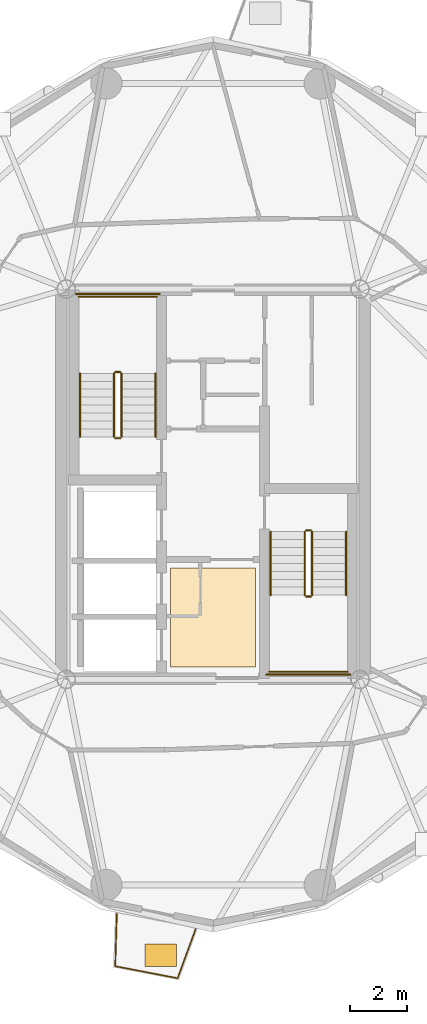
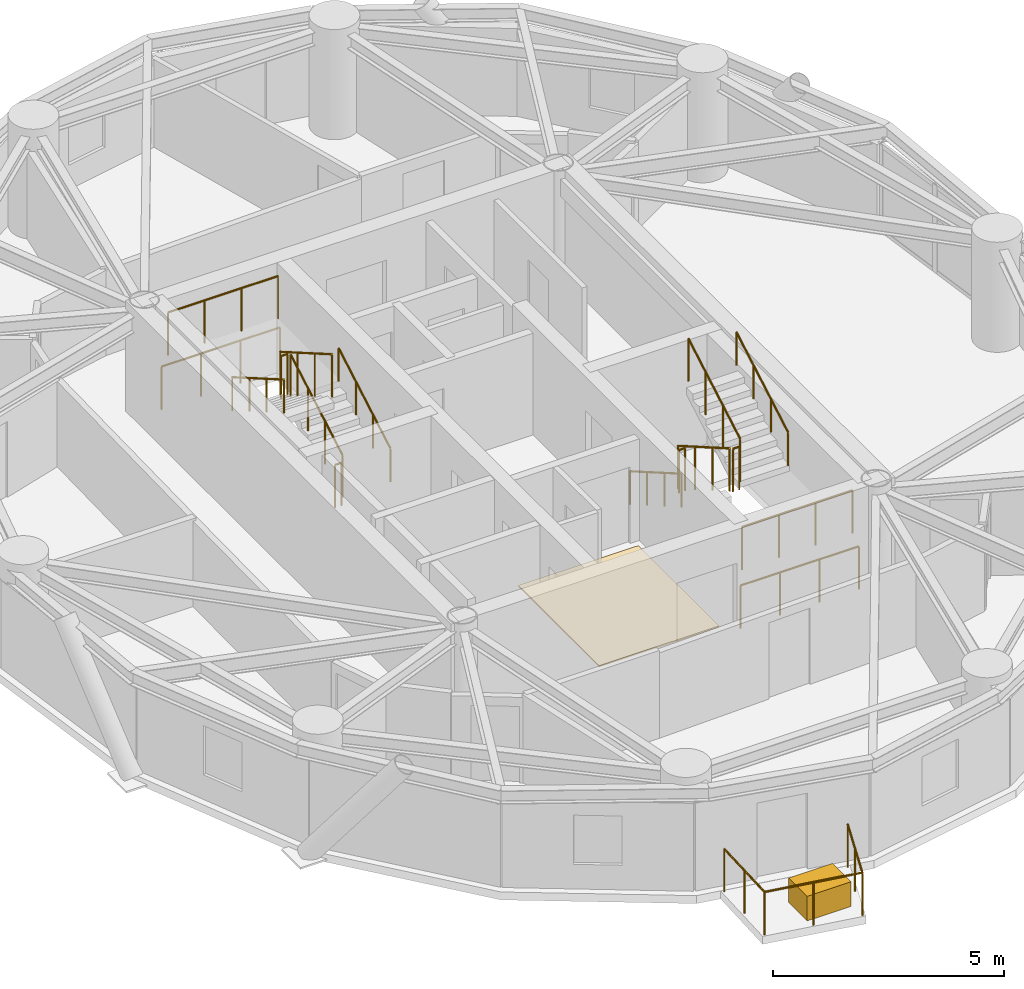
# One storey, part 14 of 16: 17 railings, 2 coverings.
"""IFC4 building model written with IfcOpenShell, lengths in metres."""

from ifc_helpers import new_model, si_unit, direction, frame, origin, origin_2d, place, context, subcontext, project, spatial, polyline, rectangle, circle, outline, extrude, source, transform, mapped, material, layer, layer_set, type_object, element, save


model = new_model("IFC4")

# Units and contexts
model_context = context("Model", 3, precision=1e-05, world=origin(), true_north=direction((0.0, 1.0)))
body_context = subcontext(model_context, "Body", "Model", "MODEL_VIEW")
ifc_project = project(units=[si_unit("LENGTHUNIT", "METRE"), si_unit("AREAUNIT", "SQUARE_METRE"), si_unit("VOLUMEUNIT", "CUBIC_METRE"), si_unit("PLANEANGLEUNIT", "RADIAN"), si_unit("MASSUNIT", "GRAM", prefix="KILO")], contexts=[model_context])

# Site, building, storey
site_placement = place(None, origin())
site = spatial("IfcSite", under=ifc_project, at=site_placement, CompositionType="ELEMENT")
building_placement = place(site_placement, origin())
building = spatial("IfcBuilding", under=site, at=building_placement, Name="Cununo Teusaquillo Station Towers", CompositionType="ELEMENT")
storey_placement = place(building_placement, frame((0.0, 0.0, 208.300048828125)))
storey = spatial("IfcBuildingStorey", under=building, at=storey_placement, Name="L66", CompositionType="ELEMENT", Elevation=208.300048828125)

# Covering
ifc_material_1 = material(Name="Polished basalt-chip terrazzo floor finish", Category="masonry")
ifc_layer_1 = layer(ifc_material_1, 0.034912109375)
ifc_layer_set_1 = layer_set([ifc_layer_1], Name="Polished basalt-chip terrazzo floor finish")
covering_type_1 = type_object("IfcCoveringType", Name="COV-FLR-TERR", PredefinedType="FLOORING", material=ifc_layer_set_1)
covering_1_placement = place(storey_placement, origin())
element("IfcCovering", 1, at=covering_1_placement, inside=storey, type_object=covering_type_1, Name="L66 Polished Terrazzo Floor Finish", PredefinedType="FLOORING", context=body_context, shape_type="SweptSolid", body=[
    extrude(outline(polyline([(15.0, 18.050048828125), (18.0, 18.050048828125), (18.0, 21.550048828125), (15.0, 21.550048828125), (15.0, 18.050048828125)])), origin(), (0.0, 0.0, 1.0), 0.034912109375),
])

# Railings
ifc_material_2 = material(Name="Anodised dark bronze aluminium EN AW-6063-T6", Category="aluminium")
railing_type_1 = type_object("IfcRailingType", Name="RL-EXT-GUARD", PredefinedType="GUARDRAIL", material=ifc_material_2)
railing_1_placement = place(storey_placement, frame((15.884765625, 8.819580078125, 0.0)))
element("IfcRailing", 2, at=railing_1_placement, inside=storey, type_object=railing_type_1, Name="L66 Tower A Balcony Guardrail C14", PredefinedType="GUARDRAIL", context=body_context, shape_type="SweptSolid", body=[
    extrude(circle(Radius=0.02392578125, at=origin_2d()), frame((0.0, 0.0, 1.1259765625), z_axis=(-0.344196323776, -0.938897699805, 0.0), x_axis=(0.938897699805, -0.344196323776, 0.0)), (0.0, 0.0, 1.0), 1.844970703125),
    extrude(circle(Radius=0.02392578125, at=origin_2d()), frame((-0.635009765625, -1.732177734375, 1.1259765625), z_axis=(-0.981834932982, 0.18973709278, 0.0), x_axis=(-0.18973709278, -0.981834932982, 0.0)), (0.0, 0.0, 1.0), 2.239013671875),
    extrude(circle(Radius=0.02392578125, at=origin_2d()), frame((-2.833251953125, -1.307373046875, 1.1259765625), z_axis=(0.030305152758, 0.999540693377, 0.0), x_axis=(-0.999540693377, 0.030305152758, 0.0)), (0.0, 0.0, 1.0), 1.8447265625),
    extrude(circle(Radius=0.02099609375, at=origin_2d()), origin(), (0.0, 0.0, 1.0), 1.101806640625),
    extrude(circle(Radius=0.02099609375, at=origin_2d()), frame((-0.3173828125, -0.8662109375, 0.0)), (0.0, 0.0, 1.0), 1.101806640625),
    extrude(circle(Radius=0.02099609375, at=origin_2d()), frame((-0.635009765625, -1.732177734375, 0.0)), (0.0, 0.0, 1.0), 1.101806640625),
    extrude(circle(Radius=0.02099609375, at=origin_2d()), frame((-1.734130859375, -1.519775390625, 0.0)), (0.0, 0.0, 1.0), 1.101806640625),
    extrude(circle(Radius=0.02099609375, at=origin_2d()), frame((-2.833251953125, -1.307373046875, 0.0)), (0.0, 0.0, 1.0), 1.101806640625),
    extrude(circle(Radius=0.02099609375, at=origin_2d()), frame((-2.80517578125, -0.38525390625, 0.0)), (0.0, 0.0, 1.0), 1.101806640625),
    extrude(circle(Radius=0.02099609375, at=origin_2d()), frame((-2.77734375, 0.53662109375, 0.0)), (0.0, 0.0, 1.0), 1.101806640625),
])
ifc_material_3 = material(Name="Steel EN 10025-2 S355J2", Category="steel")
railing_type_2 = type_object("IfcRailingType", Name="RL-INT-GUARD", PredefinedType="GUARDRAIL", material=ifc_material_3)
railing_2_placement = place(storey_placement, frame((13.27001953125, 26.169921875, 0.16162109375)))
element("IfcRailing", 3, at=railing_2_placement, inside=storey, type_object=railing_type_2, Name="L66 ST-T1-1 stair guard 1", PredefinedType="GUARDRAIL", context=body_context, shape_type="SweptSolid", body=[
    extrude(circle(Radius=0.02392578125, at=origin_2d()), frame((0.0, 0.0, 1.1259765625), z_axis=(0.0, 0.866033117094, 0.499986639918), x_axis=(-1.0, 0.0, 0.0)), (0.0, 0.0, 1.0), 2.58642578125),
    extrude(circle(Radius=0.02099609375, at=origin_2d()), origin(), (0.0, 0.0, 1.0), 1.101806640625),
    extrude(circle(Radius=0.02099609375, at=origin_2d()), frame((0.0, 0.74658203125, 0.43115234375)), (0.0, 0.0, 1.0), 1.101806640625),
    extrude(circle(Radius=0.02099609375, at=origin_2d()), frame((0.0, 1.493408203125, 0.862060546875)), (0.0, 0.0, 1.0), 1.101806640625),
    extrude(circle(Radius=0.02099609375, at=origin_2d()), frame((0.0, 2.239990234375, 1.293212890625)), (0.0, 0.0, 1.0), 1.101806640625),
])
railing_3_placement = place(storey_placement, frame((13.219970703125, 28.4599609375, 1.454833984375)))
element("IfcRailing", 4, at=railing_3_placement, inside=storey, type_object=railing_type_2, Name="L66 ST-T1-1 stair guard 2", PredefinedType="GUARDRAIL", context=body_context, shape_type="SweptSolid", body=[
    extrude(circle(Radius=0.02392578125, at=origin_2d()), frame((0.0, 0.0, 1.1259765625), z_axis=(-1.0, 0.0, 0.0), x_axis=(0.0, -1.0, 0.0)), (0.0, 0.0, 1.0), 0.159912109375),
    extrude(circle(Radius=0.02099609375, at=origin_2d()), origin(), (0.0, 0.0, 1.0), 1.101806640625),
    extrude(circle(Radius=0.02099609375, at=origin_2d()), frame((-0.159912109375, 0.0, 0.0)), (0.0, 0.0, 1.0), 1.101806640625),
])
railing_4_placement = place(storey_placement, frame((14.52001953125, 31.110107421875, 1.454833984375)))
element("IfcRailing", 5, at=railing_4_placement, inside=storey, type_object=railing_type_2, Name="L66 ST-T1-1 stair guard 3", PredefinedType="GUARDRAIL", context=body_context, shape_type="SweptSolid", body=[
    extrude(circle(Radius=0.02392578125, at=origin_2d()), frame((0.0, 0.0, 1.1259765625), z_axis=(-1.0, 0.0, 0.0), x_axis=(0.0, -1.0, 0.0)), (0.0, 0.0, 1.0), 2.760009765625),
    extrude(circle(Radius=0.02099609375, at=origin_2d()), origin(), (0.0, 0.0, 1.0), 1.101806640625),
    extrude(circle(Radius=0.02099609375, at=origin_2d()), frame((-0.919921875, 0.0, 0.0)), (0.0, 0.0, 1.0), 1.101806640625),
    extrude(circle(Radius=0.02099609375, at=origin_2d()), frame((-1.840087890625, 0.0, 0.0)), (0.0, 0.0, 1.0), 1.101806640625),
    extrude(circle(Radius=0.02099609375, at=origin_2d()), frame((-2.760009765625, 0.0, 0.0)), (0.0, 0.0, 1.0), 1.101806640625),
])
railing_5_placement = place(storey_placement, frame((13.010009765625, 28.409912109375, 1.61669921875)))
element("IfcRailing", 6, at=railing_5_placement, inside=storey, type_object=railing_type_2, Name="L66 ST-T1-1 stair guard 4", PredefinedType="GUARDRAIL", context=body_context, shape_type="SweptSolid", body=[
    extrude(circle(Radius=0.02392578125, at=origin_2d()), frame((0.0, 0.0, 1.1259765625), z_axis=(0.0, -0.866033117094, 0.499986639918), x_axis=(1.0, 0.0, 0.0)), (0.0, 0.0, 1.0), 2.58642578125),
    extrude(circle(Radius=0.02099609375, at=origin_2d()), origin(), (0.0, 0.0, 1.0), 1.101806640625),
    extrude(circle(Radius=0.02099609375, at=origin_2d()), frame((0.0, -0.74658203125, 0.43115234375)), (0.0, 0.0, 1.0), 1.101806640625),
    extrude(circle(Radius=0.02099609375, at=origin_2d()), frame((0.0, -1.493408203125, 0.862060546875)), (0.0, 0.0, 1.0), 1.101806640625),
    extrude(circle(Radius=0.02099609375, at=origin_2d()), frame((0.0, -2.239990234375, 1.293212890625)), (0.0, 0.0, 1.0), 1.101806640625),
])
railing_6_placement = place(storey_placement, frame((13.219970703125, 26.1201171875, 0.0)))
element("IfcRailing", 7, at=railing_6_placement, inside=storey, type_object=railing_type_2, Name="L66 ST-T1-1 stair guard 5", PredefinedType="GUARDRAIL", context=body_context, shape_type="SweptSolid", body=[
    extrude(circle(Radius=0.02392578125, at=origin_2d()), frame((0.0, 0.0, 1.1259765625), z_axis=(-1.0, 0.0, 0.0), x_axis=(0.0, -1.0, 0.0)), (0.0, 0.0, 1.0), 0.159912109375),
    extrude(circle(Radius=0.02099609375, at=origin_2d()), origin(), (0.0, 0.0, 1.0), 1.101806640625),
    extrude(circle(Radius=0.02099609375, at=origin_2d()), frame((-0.159912109375, 0.0, 0.0)), (0.0, 0.0, 1.0), 1.101806640625),
])
railing_7_placement = place(storey_placement, frame((14.6201171875, 31.2099609375, 0.0)))
element("IfcRailing", 8, at=railing_7_placement, inside=storey, type_object=railing_type_2, Name="L66 ST-T1-1 stair guard 6", PredefinedType="GUARDRAIL", context=body_context, shape_type="SweptSolid", body=[
    extrude(circle(Radius=0.02392578125, at=origin_2d()), frame((0.0, 0.0, 1.1259765625), z_axis=(-1.0, 0.0, 0.0), x_axis=(0.0, -1.0, 0.0)), (0.0, 0.0, 1.0), 2.960205078125),
    extrude(circle(Radius=0.02099609375, at=origin_2d()), origin(), (0.0, 0.0, 1.0), 1.101806640625),
    extrude(circle(Radius=0.02099609375, at=origin_2d()), frame((-0.98681640625, 0.0, 0.0)), (0.0, 0.0, 1.0), 1.101806640625),
    extrude(circle(Radius=0.02099609375, at=origin_2d()), frame((-1.973388671875, 0.0, 0.0)), (0.0, 0.0, 1.0), 1.101806640625),
    extrude(circle(Radius=0.02099609375, at=origin_2d()), frame((-2.960205078125, 0.0, 0.0)), (0.0, 0.0, 1.0), 1.101806640625),
])
railing_8_placement = place(storey_placement, frame((19.72998046875, 22.830078125, 0.16162109375)))
element("IfcRailing", 9, at=railing_8_placement, inside=storey, type_object=railing_type_2, Name="L66 ST-T1-2 stair guard 1", PredefinedType="GUARDRAIL", context=body_context, shape_type="SweptSolid", body=[
    extrude(circle(Radius=0.02392578125, at=origin_2d()), frame((0.0, 0.0, 1.1259765625), z_axis=(0.0, -0.866033117094, 0.499986639918), x_axis=(1.0, 0.0, 0.0)), (0.0, 0.0, 1.0), 2.58642578125),
    extrude(circle(Radius=0.02099609375, at=origin_2d()), origin(), (0.0, 0.0, 1.0), 1.101806640625),
    extrude(circle(Radius=0.02099609375, at=origin_2d()), frame((0.0, -0.74658203125, 0.43115234375)), (0.0, 0.0, 1.0), 1.101806640625),
    extrude(circle(Radius=0.02099609375, at=origin_2d()), frame((0.0, -1.493408203125, 0.862060546875)), (0.0, 0.0, 1.0), 1.101806640625),
    extrude(circle(Radius=0.02099609375, at=origin_2d()), frame((0.0, -2.239990234375, 1.293212890625)), (0.0, 0.0, 1.0), 1.101806640625),
])
railing_9_placement = place(storey_placement, frame((19.780029296875, 20.5400390625, 1.454833984375)))
element("IfcRailing", 10, at=railing_9_placement, inside=storey, type_object=railing_type_2, Name="L66 ST-T1-2 stair guard 2", PredefinedType="GUARDRAIL", context=body_context, shape_type="SweptSolid", body=[
    extrude(circle(Radius=0.02392578125, at=origin_2d()), frame((0.0, 0.0, 1.1259765625), z_axis=(1.0, 0.0, 0.0), x_axis=(0.0, 1.0, 0.0)), (0.0, 0.0, 1.0), 0.159912109375),
    extrude(circle(Radius=0.02099609375, at=origin_2d()), origin(), (0.0, 0.0, 1.0), 1.101806640625),
    extrude(circle(Radius=0.02099609375, at=origin_2d()), frame((0.159912109375, 0.0, 0.0)), (0.0, 0.0, 1.0), 1.101806640625),
])
railing_10_placement = place(storey_placement, frame((18.47998046875, 17.889892578125, 1.454833984375)))
element("IfcRailing", 11, at=railing_10_placement, inside=storey, type_object=railing_type_2, Name="L66 ST-T1-2 stair guard 3", PredefinedType="GUARDRAIL", context=body_context, shape_type="SweptSolid", body=[
    extrude(circle(Radius=0.02392578125, at=origin_2d()), frame((0.0, 0.0, 1.1259765625), z_axis=(1.0, 0.0, 0.0), x_axis=(0.0, 1.0, 0.0)), (0.0, 0.0, 1.0), 2.760009765625),
    extrude(circle(Radius=0.02099609375, at=origin_2d()), origin(), (0.0, 0.0, 1.0), 1.101806640625),
    extrude(circle(Radius=0.02099609375, at=origin_2d()), frame((0.919921875, 0.0, 0.0)), (0.0, 0.0, 1.0), 1.101806640625),
    extrude(circle(Radius=0.02099609375, at=origin_2d()), frame((1.840087890625, 0.0, 0.0)), (0.0, 0.0, 1.0), 1.101806640625),
    extrude(circle(Radius=0.02099609375, at=origin_2d()), frame((2.760009765625, 0.0, 0.0)), (0.0, 0.0, 1.0), 1.101806640625),
])
railing_11_placement = place(storey_placement, frame((19.989990234375, 20.590087890625, 1.61669921875)))
element("IfcRailing", 12, at=railing_11_placement, inside=storey, type_object=railing_type_2, Name="L66 ST-T1-2 stair guard 4", PredefinedType="GUARDRAIL", context=body_context, shape_type="SweptSolid", body=[
    extrude(circle(Radius=0.02392578125, at=origin_2d()), frame((0.0, 0.0, 1.1259765625), z_axis=(0.0, 0.866033117094, 0.499986639918), x_axis=(-1.0, 0.0, 0.0)), (0.0, 0.0, 1.0), 2.58642578125),
    extrude(circle(Radius=0.02099609375, at=origin_2d()), origin(), (0.0, 0.0, 1.0), 1.101806640625),
    extrude(circle(Radius=0.02099609375, at=origin_2d()), frame((0.0, 0.74658203125, 0.43115234375)), (0.0, 0.0, 1.0), 1.101806640625),
    extrude(circle(Radius=0.02099609375, at=origin_2d()), frame((0.0, 1.493408203125, 0.862060546875)), (0.0, 0.0, 1.0), 1.101806640625),
    extrude(circle(Radius=0.02099609375, at=origin_2d()), frame((0.0, 2.239990234375, 1.293212890625)), (0.0, 0.0, 1.0), 1.101806640625),
])
railing_12_placement = place(storey_placement, frame((19.780029296875, 22.8798828125, 0.0)))
element("IfcRailing", 13, at=railing_12_placement, inside=storey, type_object=railing_type_2, Name="L66 ST-T1-2 stair guard 5", PredefinedType="GUARDRAIL", context=body_context, shape_type="SweptSolid", body=[
    extrude(circle(Radius=0.02392578125, at=origin_2d()), frame((0.0, 0.0, 1.1259765625), z_axis=(1.0, 0.0, 0.0), x_axis=(0.0, 1.0, 0.0)), (0.0, 0.0, 1.0), 0.159912109375),
    extrude(circle(Radius=0.02099609375, at=origin_2d()), origin(), (0.0, 0.0, 1.0), 1.101806640625),
    extrude(circle(Radius=0.02099609375, at=origin_2d()), frame((0.159912109375, 0.0, 0.0)), (0.0, 0.0, 1.0), 1.101806640625),
])
railing_13_placement = place(storey_placement, frame((18.3798828125, 17.7900390625, 0.0)))
element("IfcRailing", 14, at=railing_13_placement, inside=storey, type_object=railing_type_2, Name="L66 ST-T1-2 stair guard 6", PredefinedType="GUARDRAIL", context=body_context, shape_type="SweptSolid", body=[
    extrude(circle(Radius=0.02392578125, at=origin_2d()), frame((0.0, 0.0, 1.1259765625), z_axis=(1.0, 0.0, 0.0), x_axis=(0.0, 1.0, 0.0)), (0.0, 0.0, 1.0), 2.960205078125),
    extrude(circle(Radius=0.02099609375, at=origin_2d()), origin(), (0.0, 0.0, 1.0), 1.101806640625),
    extrude(circle(Radius=0.02099609375, at=origin_2d()), frame((0.98681640625, 0.0, 0.0)), (0.0, 0.0, 1.0), 1.101806640625),
    extrude(circle(Radius=0.02099609375, at=origin_2d()), frame((1.973388671875, 0.0, 0.0)), (0.0, 0.0, 1.0), 1.101806640625),
    extrude(circle(Radius=0.02099609375, at=origin_2d()), frame((2.960205078125, 0.0, 0.0)), (0.0, 0.0, 1.0), 1.101806640625),
])
ifc_material_4 = material(Name="Steel EN 10025-2 S355J2", Category="steel")
railing_type_3 = type_object("IfcRailingType", Name="RL-INT-HRAIL", PredefinedType="HANDRAIL", material=ifc_material_4)
railing_14_placement = place(storey_placement, frame((14.469970703125, 26.169921875, 0.16162109375)))
element("IfcRailing", 15, at=railing_14_placement, inside=storey, type_object=railing_type_3, Name="L66 ST-T1-1 stair handrail 1", PredefinedType="HANDRAIL", context=body_context, shape_type="SweptSolid", body=[
    extrude(circle(Radius=0.02392578125, at=origin_2d()), frame((0.0, 0.0, 0.8759765625), z_axis=(0.0, 0.866033117094, 0.499986639918), x_axis=(-1.0, 0.0, 0.0)), (0.0, 0.0, 1.0), 2.58642578125),
    extrude(circle(Radius=0.02099609375, at=origin_2d()), origin(), (0.0, 0.0, 1.0), 0.851806640625),
    extrude(circle(Radius=0.02099609375, at=origin_2d()), frame((0.0, 0.74658203125, 0.43115234375)), (0.0, 0.0, 1.0), 0.851806640625),
    extrude(circle(Radius=0.02099609375, at=origin_2d()), frame((0.0, 1.493408203125, 0.862060546875)), (0.0, 0.0, 1.0), 0.851806640625),
    extrude(circle(Radius=0.02099609375, at=origin_2d()), frame((0.0, 2.239990234375, 1.293212890625)), (0.0, 0.0, 1.0), 0.851806640625),
])
for number, where, name in (
    (16, (11.81005859375, 28.409912109375, 1.61669921875), "L66 ST-T1-1 stair handrail 2"),
    (17, (18.530029296875, 22.830078125, 0.16162109375), "L66 ST-T1-2 stair handrail 1"),
):
    element("IfcRailing", number, at=place(storey_placement, frame(where)), inside=storey, type_object=railing_type_3, Name=name, PredefinedType="HANDRAIL", context=body_context, shape_type="SweptSolid", body=[
        extrude(circle(Radius=0.02392578125, at=origin_2d()), frame((0.0, 0.0, 0.8759765625), z_axis=(0.0, -0.866033117094, 0.499986639918), x_axis=(1.0, 0.0, 0.0)), (0.0, 0.0, 1.0), 2.58642578125),
        extrude(circle(Radius=0.02099609375, at=origin_2d()), origin(), (0.0, 0.0, 1.0), 0.851806640625),
        extrude(circle(Radius=0.02099609375, at=origin_2d()), frame((0.0, -0.74658203125, 0.43115234375)), (0.0, 0.0, 1.0), 0.851806640625),
        extrude(circle(Radius=0.02099609375, at=origin_2d()), frame((0.0, -1.493408203125, 0.862060546875)), (0.0, 0.0, 1.0), 0.851806640625),
        extrude(circle(Radius=0.02099609375, at=origin_2d()), frame((0.0, -2.239990234375, 1.293212890625)), (0.0, 0.0, 1.0), 0.851806640625),
    ])
railing_15_placement = place(storey_placement, frame((21.18994140625, 20.590087890625, 1.61669921875)))
element("IfcRailing", 18, at=railing_15_placement, inside=storey, type_object=railing_type_3, Name="L66 ST-T1-2 stair handrail 2", PredefinedType="HANDRAIL", context=body_context, shape_type="SweptSolid", body=[
    extrude(circle(Radius=0.02392578125, at=origin_2d()), frame((0.0, 0.0, 0.8759765625), z_axis=(0.0, 0.866033117094, 0.499986639918), x_axis=(-1.0, 0.0, 0.0)), (0.0, 0.0, 1.0), 2.58642578125),
    extrude(circle(Radius=0.02099609375, at=origin_2d()), origin(), (0.0, 0.0, 1.0), 0.851806640625),
    extrude(circle(Radius=0.02099609375, at=origin_2d()), frame((0.0, 0.74658203125, 0.43115234375)), (0.0, 0.0, 1.0), 0.851806640625),
    extrude(circle(Radius=0.02099609375, at=origin_2d()), frame((0.0, 1.493408203125, 0.862060546875)), (0.0, 0.0, 1.0), 0.851806640625),
    extrude(circle(Radius=0.02099609375, at=origin_2d()), frame((0.0, 2.239990234375, 1.293212890625)), (0.0, 0.0, 1.0), 0.851806640625),
])

# Covering
ifc_material_5 = material(Name="Architectural GRC planter shell and engineered root-zone substrate", Category="concrete")
ifc_layer_2 = layer(ifc_material_5, 0.64990234375)
ifc_layer_set_2 = layer_set([ifc_layer_2], Name="Architectural GRC planter shell and engineered root-zone substrate")
covering_type_2 = type_object("IfcCoveringType", Name="COV-TREE-PLANTER", PredefinedType="CLADDING", material=ifc_layer_set_2)
shared_shape = source(origin(), body_context, "Body", "SweptSolid", [
    extrude(rectangle(XDim=1.10009765625, YDim=0.800048828125, at=origin_2d()), origin(), (0.0, 0.0, 1.0), 0.64990234375),
])
covering_2_placement = place(storey_placement, frame((14.658203125, 7.897216796875, 0.0), z_axis=(0.0, 0.0, 1.0), x_axis=(1.0, 0.0, 0.0)))
element("IfcCovering", 19, at=covering_2_placement, inside=storey, type_object=covering_type_2, Name="L66 Tower A Balcony Tree PLANTER C14", PredefinedType="CLADDING", context=body_context, shape_type="MappedRepresentation", body=[
    mapped(shared_shape, transform((0.0, 0.0, 0.0), x_axis=(1.0, 0.0, 0.0), y_axis=(0.0, 1.0, 0.0), z_axis=(0.0, 0.0, 1.0), scale=1.0)),
])

save(model, "model.ifc")
